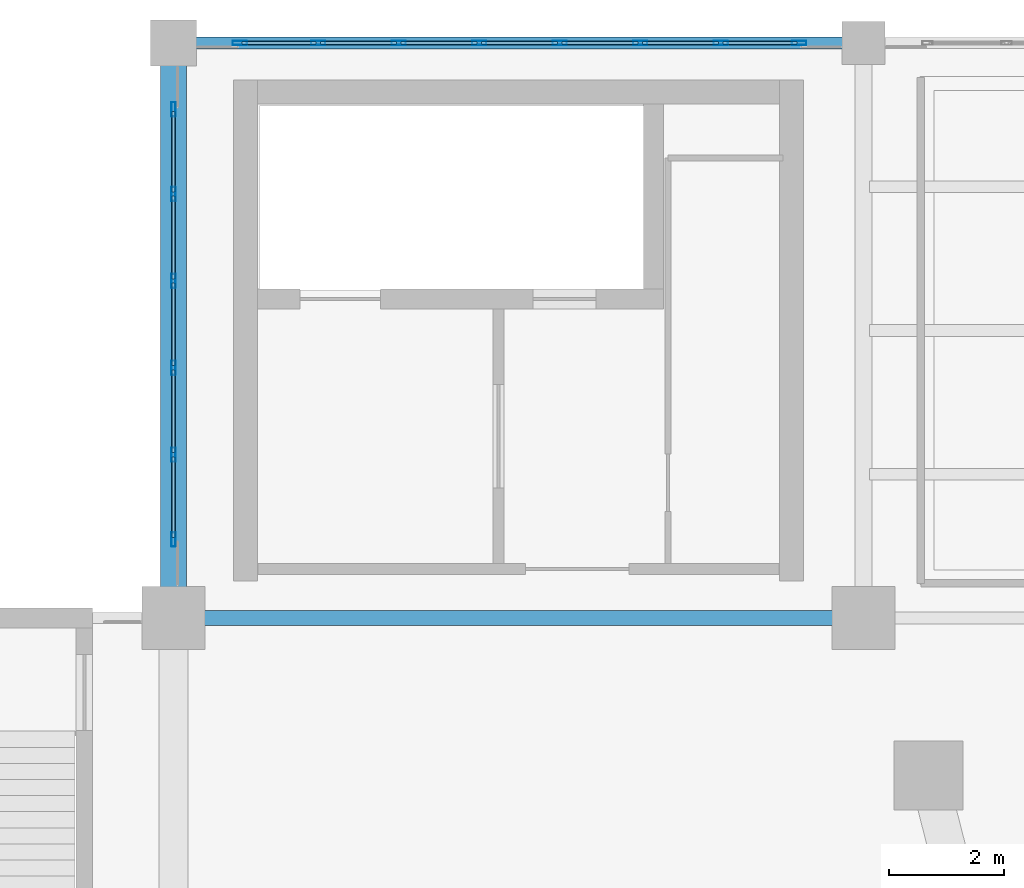
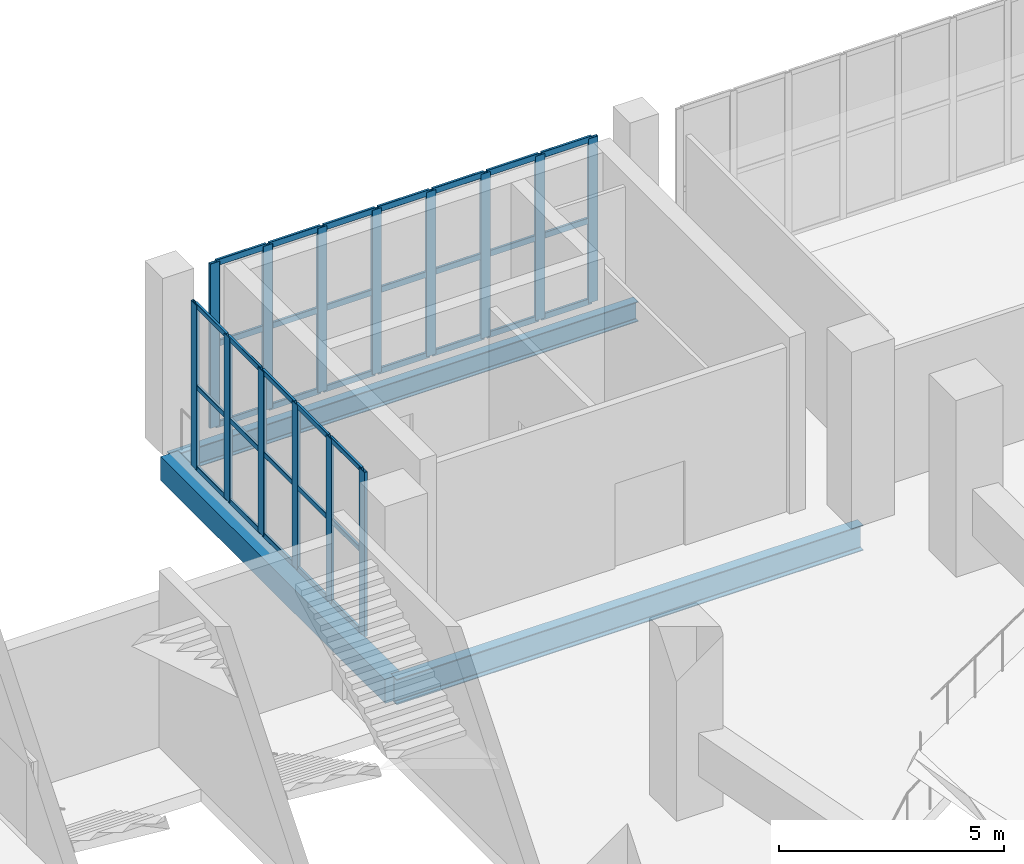
# One storey, part 52 of 136: 50 members, 3 beams, 2 elements without a shape of their own.
"""IFC4 building model written with IfcOpenShell, lengths in metres."""

from ifc_helpers import new_model, si_unit, direction, frame, origin, origin_2d, place, context, subcontext, project, spatial, rectangle, hollow_rectangle, i_section, extrude, material, layer, layer_set, material_profile, profile_set, type_object, element, aggregate, save


model = new_model("IFC4")

# Units and contexts
model_context = context("Model", 3, precision=1e-05, world=origin(), true_north=direction((0.0, 1.0)))
body_context = subcontext(model_context, "Body", "Model", "MODEL_VIEW")
ifc_project = project(units=[si_unit("LENGTHUNIT", "METRE"), si_unit("AREAUNIT", "SQUARE_METRE"), si_unit("VOLUMEUNIT", "CUBIC_METRE"), si_unit("PLANEANGLEUNIT", "RADIAN"), si_unit("MASSUNIT", "GRAM", prefix="KILO")], contexts=[model_context])

# Site, building, storey
site_placement = place(None, origin())
site = spatial("IfcSite", under=ifc_project, at=site_placement, CompositionType="ELEMENT")
building_placement = place(site_placement, origin())
building = spatial("IfcBuilding", under=site, at=building_placement, Name="Brinegate Civic Arena", CompositionType="ELEMENT")
storey_placement = place(building_placement, frame((0.0, 0.0, 5.39990234375)))
storey = spatial("IfcBuildingStorey", under=building, at=storey_placement, Name="L01", CompositionType="ELEMENT", Elevation=5.39990234375)

# Curtain wall, members
ifc_material_1 = material(Name="Marine grade aluminium", Category="aluminium")
ifc_layer = layer(ifc_material_1, 0.235107421875, Name="Marine grade aluminium")
ifc_layer_set = layer_set([ifc_layer], Name="Marine grade aluminium")
curtain_wall_type = type_object("IfcCurtainWallType", Name="CW-PORTAL-NORTH-01", PredefinedType="USERDEFINED", material=ifc_layer_set)
curtain_wall_1_placement = place(storey_placement, origin())
curtain_wall_1 = element("IfcCurtainWall", 1, at=curtain_wall_1_placement, inside=storey, type_object=curtain_wall_type, Name="Curtain Wall CWA-064", ObjectType="PORTAL CURTAIN WALL", PredefinedType="USERDEFINED")
ifc_material_profile_1 = material_profile(ifc_material_1, hollow_rectangle(XDim=0.074951171875, YDim=0.25, WallThickness=0.006103515625, InnerFilletRadius=0.00390625, OuterFilletRadius=0.008056640625, at=origin_2d()), Name="MUL75X250")
ifc_profile_set_1 = profile_set([ifc_material_profile_1], Name="Marine grade aluminium")
member_type_1 = type_object("IfcMemberType", Name="CW-MULLION-75X250", PredefinedType="MULLION", material=ifc_profile_set_1)
member_1_placement = place(storey_placement, frame((85.153564453125, 124.0, 0.0), z_axis=(0.0, 0.0, 1.0), x_axis=(0.0, 1.0, 0.0)))
member_1 = element("IfcMember", 2, at=member_1_placement, type_object=member_type_1, Name="CWA-064 mullion 1", PredefinedType="MULLION", context=body_context, shape_type="SweptSolid", body=[
    extrude(hollow_rectangle(XDim=0.074951171875, YDim=0.25, WallThickness=0.006103515625, InnerFilletRadius=0.00390625, OuterFilletRadius=0.008056640625, at=origin_2d()), origin(), (0.0, 0.0, 1.0), 4.47021484375),
])
member_2_placement = place(storey_placement, frame((86.5166015625, 124.0, 0.0), z_axis=(0.0, 0.0, 1.0), x_axis=(0.0, 1.0, 0.0)))
member_2 = element("IfcMember", 3, at=member_2_placement, type_object=member_type_1, Name="CWA-064 mullion 2", PredefinedType="MULLION", context=body_context, shape_type="SweptSolid", body=[
    extrude(hollow_rectangle(XDim=0.074951171875, YDim=0.25, WallThickness=0.006103515625, InnerFilletRadius=0.00390625, OuterFilletRadius=0.008056640625, at=origin_2d()), origin(), (0.0, 0.0, 1.0), 4.47021484375),
])
member_3_placement = place(storey_placement, frame((87.917236328125, 124.0, 0.0), z_axis=(0.0, 0.0, 1.0), x_axis=(0.0, 1.0, 0.0)))
member_3 = element("IfcMember", 4, at=member_3_placement, type_object=member_type_1, Name="CWA-064 mullion 3", PredefinedType="MULLION", context=body_context, shape_type="SweptSolid", body=[
    extrude(hollow_rectangle(XDim=0.074951171875, YDim=0.25, WallThickness=0.006103515625, InnerFilletRadius=0.00390625, OuterFilletRadius=0.008056640625, at=origin_2d()), origin(), (0.0, 0.0, 1.0), 4.47021484375),
])
member_4_placement = place(storey_placement, frame((89.317626953125, 124.0, 0.0), z_axis=(0.0, 0.0, 1.0), x_axis=(0.0, 1.0, 0.0)))
member_4 = element("IfcMember", 5, at=member_4_placement, type_object=member_type_1, Name="CWA-064 mullion 4", PredefinedType="MULLION", context=body_context, shape_type="SweptSolid", body=[
    extrude(hollow_rectangle(XDim=0.074951171875, YDim=0.25, WallThickness=0.006103515625, InnerFilletRadius=0.00390625, OuterFilletRadius=0.008056640625, at=origin_2d()), origin(), (0.0, 0.0, 1.0), 4.47021484375),
])
member_5_placement = place(storey_placement, frame((90.71826171875, 124.0, 0.0), z_axis=(0.0, 0.0, 1.0), x_axis=(0.0, 1.0, 0.0)))
member_5 = element("IfcMember", 6, at=member_5_placement, type_object=member_type_1, Name="CWA-064 mullion 5", PredefinedType="MULLION", context=body_context, shape_type="SweptSolid", body=[
    extrude(hollow_rectangle(XDim=0.074951171875, YDim=0.25, WallThickness=0.006103515625, InnerFilletRadius=0.00390625, OuterFilletRadius=0.008056640625, at=origin_2d()), origin(), (0.0, 0.0, 1.0), 4.47021484375),
])
member_6_placement = place(storey_placement, frame((92.118896484375, 124.0, 0.0), z_axis=(0.0, 0.0, 1.0), x_axis=(0.0, 1.0, 0.0)))
member_6 = element("IfcMember", 7, at=member_6_placement, type_object=member_type_1, Name="CWA-064 mullion 6", PredefinedType="MULLION", context=body_context, shape_type="SweptSolid", body=[
    extrude(hollow_rectangle(XDim=0.074951171875, YDim=0.25, WallThickness=0.006103515625, InnerFilletRadius=0.00390625, OuterFilletRadius=0.008056640625, at=origin_2d()), origin(), (0.0, 0.0, 1.0), 4.47021484375),
])
member_7_placement = place(storey_placement, frame((93.51953125, 124.0, 0.0), z_axis=(0.0, 0.0, 1.0), x_axis=(0.0, 1.0, 0.0)))
member_7 = element("IfcMember", 8, at=member_7_placement, type_object=member_type_1, Name="CWA-064 mullion 7", PredefinedType="MULLION", context=body_context, shape_type="SweptSolid", body=[
    extrude(hollow_rectangle(XDim=0.074951171875, YDim=0.25, WallThickness=0.006103515625, InnerFilletRadius=0.00390625, OuterFilletRadius=0.008056640625, at=origin_2d()), origin(), (0.0, 0.0, 1.0), 4.47021484375),
])
member_8_placement = place(storey_placement, frame((94.882568359375, 124.0, 0.0), z_axis=(0.0, 0.0, 1.0), x_axis=(0.0, 1.0, 0.0)))
member_8 = element("IfcMember", 9, at=member_8_placement, type_object=member_type_1, Name="CWA-064 mullion 8", PredefinedType="MULLION", context=body_context, shape_type="SweptSolid", body=[
    extrude(hollow_rectangle(XDim=0.074951171875, YDim=0.25, WallThickness=0.006103515625, InnerFilletRadius=0.00390625, OuterFilletRadius=0.008056640625, at=origin_2d()), origin(), (0.0, 0.0, 1.0), 4.47021484375),
])

curtain_wall_2_placement = place(storey_placement, origin())
curtain_wall_2 = element("IfcCurtainWall", 10, at=curtain_wall_2_placement, inside=storey, type_object=curtain_wall_type, Name="Curtain Wall CWA-068", ObjectType="PORTAL CURTAIN WALL", PredefinedType="USERDEFINED")
member_9_placement = place(storey_placement, frame((84.0, 115.365478515625, 0.0), z_axis=(0.0, 0.0, 1.0), x_axis=(-1.0, 0.0, 0.0)))
member_9 = element("IfcMember", 11, at=member_9_placement, type_object=member_type_1, Name="CWA-068 mullion 1", PredefinedType="MULLION", context=body_context, shape_type="SweptSolid", body=[
    extrude(hollow_rectangle(XDim=0.074951171875, YDim=0.25, WallThickness=0.006103515625, InnerFilletRadius=0.00390625, OuterFilletRadius=0.008056640625, at=origin_2d()), origin(), (0.0, 0.0, 1.0), 4.47021484375),
])
member_10_placement = place(storey_placement, frame((84.0, 116.839111328125, 0.0), z_axis=(0.0, 0.0, 1.0), x_axis=(-1.0, 0.0, 0.0)))
member_10 = element("IfcMember", 12, at=member_10_placement, type_object=member_type_1, Name="CWA-068 mullion 2", PredefinedType="MULLION", context=body_context, shape_type="SweptSolid", body=[
    extrude(hollow_rectangle(XDim=0.074951171875, YDim=0.25, WallThickness=0.006103515625, InnerFilletRadius=0.00390625, OuterFilletRadius=0.008056640625, at=origin_2d()), origin(), (0.0, 0.0, 1.0), 4.47021484375),
])
member_11_placement = place(storey_placement, frame((84.0, 118.350341796875, 0.0), z_axis=(0.0, 0.0, 1.0), x_axis=(-1.0, 0.0, 0.0)))
member_11 = element("IfcMember", 13, at=member_11_placement, type_object=member_type_1, Name="CWA-068 mullion 3", PredefinedType="MULLION", context=body_context, shape_type="SweptSolid", body=[
    extrude(hollow_rectangle(XDim=0.074951171875, YDim=0.25, WallThickness=0.006103515625, InnerFilletRadius=0.00390625, OuterFilletRadius=0.008056640625, at=origin_2d()), origin(), (0.0, 0.0, 1.0), 4.47021484375),
])
member_12_placement = place(storey_placement, frame((84.0, 119.861572265625, 0.0), z_axis=(0.0, 0.0, 1.0), x_axis=(-1.0, 0.0, 0.0)))
member_12 = element("IfcMember", 14, at=member_12_placement, type_object=member_type_1, Name="CWA-068 mullion 4", PredefinedType="MULLION", context=body_context, shape_type="SweptSolid", body=[
    extrude(hollow_rectangle(XDim=0.074951171875, YDim=0.25, WallThickness=0.006103515625, InnerFilletRadius=0.00390625, OuterFilletRadius=0.008056640625, at=origin_2d()), origin(), (0.0, 0.0, 1.0), 4.47021484375),
])
member_13_placement = place(storey_placement, frame((84.0, 121.372802734375, 0.0), z_axis=(0.0, 0.0, 1.0), x_axis=(-1.0, 0.0, 0.0)))
member_13 = element("IfcMember", 15, at=member_13_placement, type_object=member_type_1, Name="CWA-068 mullion 5", PredefinedType="MULLION", context=body_context, shape_type="SweptSolid", body=[
    extrude(hollow_rectangle(XDim=0.074951171875, YDim=0.25, WallThickness=0.006103515625, InnerFilletRadius=0.00390625, OuterFilletRadius=0.008056640625, at=origin_2d()), origin(), (0.0, 0.0, 1.0), 4.47021484375),
])
member_14_placement = place(storey_placement, frame((84.0, 122.846435546875, 0.0), z_axis=(0.0, 0.0, 1.0), x_axis=(-1.0, 0.0, 0.0)))
member_14 = element("IfcMember", 16, at=member_14_placement, type_object=member_type_1, Name="CWA-068 mullion 6", PredefinedType="MULLION", context=body_context, shape_type="SweptSolid", body=[
    extrude(hollow_rectangle(XDim=0.074951171875, YDim=0.25, WallThickness=0.006103515625, InnerFilletRadius=0.00390625, OuterFilletRadius=0.008056640625, at=origin_2d()), origin(), (0.0, 0.0, 1.0), 4.47021484375),
])
ifc_material_profile_2 = material_profile(ifc_material_1, hollow_rectangle(XDim=0.06494140625, YDim=0.139892578125, WallThickness=0.0048828125, InnerFilletRadius=0.00390625, OuterFilletRadius=0.008056640625, at=origin_2d()), Name="TRN65X140")
ifc_profile_set_2 = profile_set([ifc_material_profile_2], Name="Marine grade aluminium")
member_type_2 = type_object("IfcMemberType", Name="CW-TRANSOM-65X140", PredefinedType="USERDEFINED", material=ifc_profile_set_2)
member_15_placement = place(storey_placement, frame((84.0, 115.403076171875, 0.03271484375), z_axis=(0.0, 1.0, 0.0), x_axis=(-1.0, 0.0, 0.0)))
member_15 = element("IfcMember", 17, at=member_15_placement, type_object=member_type_2, Name="CWA-068 transom 1.1", ObjectType="TRANSOM", PredefinedType="USERDEFINED", context=body_context, shape_type="SweptSolid", body=[
    extrude(hollow_rectangle(XDim=0.06494140625, YDim=0.139892578125, WallThickness=0.0048828125, InnerFilletRadius=0.00390625, OuterFilletRadius=0.008056640625, at=origin_2d()), origin(), (0.0, 0.0, 1.0), 1.398681640625),
])
member_16_placement = place(storey_placement, frame((84.0, 115.403076171875, 2.235107421875), z_axis=(0.0, 1.0, 0.0), x_axis=(-1.0, 0.0, 0.0)))
member_16 = element("IfcMember", 18, at=member_16_placement, type_object=member_type_2, Name="CWA-068 transom 1.2", ObjectType="TRANSOM", PredefinedType="USERDEFINED", context=body_context, shape_type="SweptSolid", body=[
    extrude(hollow_rectangle(XDim=0.06494140625, YDim=0.139892578125, WallThickness=0.0048828125, InnerFilletRadius=0.00390625, OuterFilletRadius=0.008056640625, at=origin_2d()), origin(), (0.0, 0.0, 1.0), 1.398681640625),
])
member_17_placement = place(storey_placement, frame((84.0, 115.403076171875, 4.4375), z_axis=(0.0, 1.0, 0.0), x_axis=(-1.0, 0.0, 0.0)))
member_17 = element("IfcMember", 19, at=member_17_placement, type_object=member_type_2, Name="CWA-068 transom 1.3", ObjectType="TRANSOM", PredefinedType="USERDEFINED", context=body_context, shape_type="SweptSolid", body=[
    extrude(hollow_rectangle(XDim=0.06494140625, YDim=0.139892578125, WallThickness=0.0048828125, InnerFilletRadius=0.00390625, OuterFilletRadius=0.008056640625, at=origin_2d()), origin(), (0.0, 0.0, 1.0), 1.398681640625),
])
member_18_placement = place(storey_placement, frame((84.0, 116.876708984375, 0.03271484375), z_axis=(0.0, 1.0, 0.0), x_axis=(-1.0, 0.0, 0.0)))
member_18 = element("IfcMember", 20, at=member_18_placement, type_object=member_type_2, Name="CWA-068 transom 2.1", ObjectType="TRANSOM", PredefinedType="USERDEFINED", context=body_context, shape_type="SweptSolid", body=[
    extrude(hollow_rectangle(XDim=0.06494140625, YDim=0.139892578125, WallThickness=0.0048828125, InnerFilletRadius=0.00390625, OuterFilletRadius=0.008056640625, at=origin_2d()), origin(), (0.0, 0.0, 1.0), 1.436279296875),
])
member_19_placement = place(storey_placement, frame((84.0, 116.876708984375, 2.235107421875), z_axis=(0.0, 1.0, 0.0), x_axis=(-1.0, 0.0, 0.0)))
member_19 = element("IfcMember", 21, at=member_19_placement, type_object=member_type_2, Name="CWA-068 transom 2.2", ObjectType="TRANSOM", PredefinedType="USERDEFINED", context=body_context, shape_type="SweptSolid", body=[
    extrude(hollow_rectangle(XDim=0.06494140625, YDim=0.139892578125, WallThickness=0.0048828125, InnerFilletRadius=0.00390625, OuterFilletRadius=0.008056640625, at=origin_2d()), origin(), (0.0, 0.0, 1.0), 1.436279296875),
])
member_20_placement = place(storey_placement, frame((84.0, 116.876708984375, 4.4375), z_axis=(0.0, 1.0, 0.0), x_axis=(-1.0, 0.0, 0.0)))
member_20 = element("IfcMember", 22, at=member_20_placement, type_object=member_type_2, Name="CWA-068 transom 2.3", ObjectType="TRANSOM", PredefinedType="USERDEFINED", context=body_context, shape_type="SweptSolid", body=[
    extrude(hollow_rectangle(XDim=0.06494140625, YDim=0.139892578125, WallThickness=0.0048828125, InnerFilletRadius=0.00390625, OuterFilletRadius=0.008056640625, at=origin_2d()), origin(), (0.0, 0.0, 1.0), 1.436279296875),
])
member_21_placement = place(storey_placement, frame((84.0, 118.387939453125, 0.03271484375), z_axis=(0.0, 1.0, 0.0), x_axis=(-1.0, 0.0, 0.0)))
member_21 = element("IfcMember", 23, at=member_21_placement, type_object=member_type_2, Name="CWA-068 transom 3.1", ObjectType="TRANSOM", PredefinedType="USERDEFINED", context=body_context, shape_type="SweptSolid", body=[
    extrude(hollow_rectangle(XDim=0.06494140625, YDim=0.139892578125, WallThickness=0.0048828125, InnerFilletRadius=0.00390625, OuterFilletRadius=0.008056640625, at=origin_2d()), origin(), (0.0, 0.0, 1.0), 1.436279296875),
])
member_22_placement = place(storey_placement, frame((84.0, 118.387939453125, 2.235107421875), z_axis=(0.0, 1.0, 0.0), x_axis=(-1.0, 0.0, 0.0)))
member_22 = element("IfcMember", 24, at=member_22_placement, type_object=member_type_2, Name="CWA-068 transom 3.2", ObjectType="TRANSOM", PredefinedType="USERDEFINED", context=body_context, shape_type="SweptSolid", body=[
    extrude(hollow_rectangle(XDim=0.06494140625, YDim=0.139892578125, WallThickness=0.0048828125, InnerFilletRadius=0.00390625, OuterFilletRadius=0.008056640625, at=origin_2d()), origin(), (0.0, 0.0, 1.0), 1.436279296875),
])
member_23_placement = place(storey_placement, frame((84.0, 118.387939453125, 4.4375), z_axis=(0.0, 1.0, 0.0), x_axis=(-1.0, 0.0, 0.0)))
member_23 = element("IfcMember", 25, at=member_23_placement, type_object=member_type_2, Name="CWA-068 transom 3.3", ObjectType="TRANSOM", PredefinedType="USERDEFINED", context=body_context, shape_type="SweptSolid", body=[
    extrude(hollow_rectangle(XDim=0.06494140625, YDim=0.139892578125, WallThickness=0.0048828125, InnerFilletRadius=0.00390625, OuterFilletRadius=0.008056640625, at=origin_2d()), origin(), (0.0, 0.0, 1.0), 1.436279296875),
])
member_24_placement = place(storey_placement, frame((84.0, 119.899169921875, 0.03271484375), z_axis=(0.0, 1.0, 0.0), x_axis=(-1.0, 0.0, 0.0)))
member_24 = element("IfcMember", 26, at=member_24_placement, type_object=member_type_2, Name="CWA-068 transom 4.1", ObjectType="TRANSOM", PredefinedType="USERDEFINED", context=body_context, shape_type="SweptSolid", body=[
    extrude(hollow_rectangle(XDim=0.06494140625, YDim=0.139892578125, WallThickness=0.0048828125, InnerFilletRadius=0.00390625, OuterFilletRadius=0.008056640625, at=origin_2d()), origin(), (0.0, 0.0, 1.0), 1.43603515625),
])
member_25_placement = place(storey_placement, frame((84.0, 119.899169921875, 2.235107421875), z_axis=(0.0, 1.0, 0.0), x_axis=(-1.0, 0.0, 0.0)))
member_25 = element("IfcMember", 27, at=member_25_placement, type_object=member_type_2, Name="CWA-068 transom 4.2", ObjectType="TRANSOM", PredefinedType="USERDEFINED", context=body_context, shape_type="SweptSolid", body=[
    extrude(hollow_rectangle(XDim=0.06494140625, YDim=0.139892578125, WallThickness=0.0048828125, InnerFilletRadius=0.00390625, OuterFilletRadius=0.008056640625, at=origin_2d()), origin(), (0.0, 0.0, 1.0), 1.43603515625),
])
member_26_placement = place(storey_placement, frame((84.0, 119.899169921875, 4.4375), z_axis=(0.0, 1.0, 0.0), x_axis=(-1.0, 0.0, 0.0)))
member_26 = element("IfcMember", 28, at=member_26_placement, type_object=member_type_2, Name="CWA-068 transom 4.3", ObjectType="TRANSOM", PredefinedType="USERDEFINED", context=body_context, shape_type="SweptSolid", body=[
    extrude(hollow_rectangle(XDim=0.06494140625, YDim=0.139892578125, WallThickness=0.0048828125, InnerFilletRadius=0.00390625, OuterFilletRadius=0.008056640625, at=origin_2d()), origin(), (0.0, 0.0, 1.0), 1.43603515625),
])
member_27_placement = place(storey_placement, frame((84.0, 121.410400390625, 0.03271484375), z_axis=(0.0, 1.0, 0.0), x_axis=(-1.0, 0.0, 0.0)))
member_27 = element("IfcMember", 29, at=member_27_placement, type_object=member_type_2, Name="CWA-068 transom 5.1", ObjectType="TRANSOM", PredefinedType="USERDEFINED", context=body_context, shape_type="SweptSolid", body=[
    extrude(hollow_rectangle(XDim=0.06494140625, YDim=0.139892578125, WallThickness=0.0048828125, InnerFilletRadius=0.00390625, OuterFilletRadius=0.008056640625, at=origin_2d()), origin(), (0.0, 0.0, 1.0), 1.398681640625),
])
member_28_placement = place(storey_placement, frame((84.0, 121.410400390625, 2.235107421875), z_axis=(0.0, 1.0, 0.0), x_axis=(-1.0, 0.0, 0.0)))
member_28 = element("IfcMember", 30, at=member_28_placement, type_object=member_type_2, Name="CWA-068 transom 5.2", ObjectType="TRANSOM", PredefinedType="USERDEFINED", context=body_context, shape_type="SweptSolid", body=[
    extrude(hollow_rectangle(XDim=0.06494140625, YDim=0.139892578125, WallThickness=0.0048828125, InnerFilletRadius=0.00390625, OuterFilletRadius=0.008056640625, at=origin_2d()), origin(), (0.0, 0.0, 1.0), 1.398681640625),
])
member_29_placement = place(storey_placement, frame((84.0, 121.410400390625, 4.4375), z_axis=(0.0, 1.0, 0.0), x_axis=(-1.0, 0.0, 0.0)))
member_29 = element("IfcMember", 31, at=member_29_placement, type_object=member_type_2, Name="CWA-068 transom 5.3", ObjectType="TRANSOM", PredefinedType="USERDEFINED", context=body_context, shape_type="SweptSolid", body=[
    extrude(hollow_rectangle(XDim=0.06494140625, YDim=0.139892578125, WallThickness=0.0048828125, InnerFilletRadius=0.00390625, OuterFilletRadius=0.008056640625, at=origin_2d()), origin(), (0.0, 0.0, 1.0), 1.398681640625),
])
aggregate(curtain_wall_2, [member_9, member_10, member_11, member_12, member_13, member_14, member_15, member_16, member_17, member_18, member_19, member_20, member_21, member_22, member_23, member_24, member_25, member_26, member_27, member_28, member_29])

# Member
ifc_material_profile_3 = material_profile(ifc_material_1, hollow_rectangle(XDim=0.06494140625, YDim=0.1650390625, WallThickness=0.0048828125, InnerFilletRadius=0.00390625, OuterFilletRadius=0.008056640625, at=origin_2d()), Name="TRN65X165")
ifc_profile_set_3 = profile_set([ifc_material_profile_3], Name="Marine grade aluminium")
member_type_3 = type_object("IfcMemberType", Name="CW-TRANSOM-65X165", PredefinedType="USERDEFINED", material=ifc_profile_set_3)
member_30_placement = place(storey_placement, frame((85.19091796875, 124.0, 0.03271484375), z_axis=(1.0, 0.0, 0.0), x_axis=(0.0, 1.0, 0.0)))
member_30 = element("IfcMember", 32, at=member_30_placement, type_object=member_type_3, Name="CWA-064 transom 1.1", ObjectType="TRANSOM", PredefinedType="USERDEFINED", context=body_context, shape_type="SweptSolid", body=[
    extrude(hollow_rectangle(XDim=0.06494140625, YDim=0.1650390625, WallThickness=0.0048828125, InnerFilletRadius=0.00390625, OuterFilletRadius=0.008056640625, at=origin_2d()), origin(), (0.0, 0.0, 1.0), 1.2880859375),
])

member_31_placement = place(storey_placement, frame((85.19091796875, 124.0, 2.235107421875), z_axis=(1.0, 0.0, 0.0), x_axis=(0.0, 1.0, 0.0)))
member_31 = element("IfcMember", 33, at=member_31_placement, type_object=member_type_3, Name="CWA-064 transom 1.2", ObjectType="TRANSOM", PredefinedType="USERDEFINED", context=body_context, shape_type="SweptSolid", body=[
    extrude(hollow_rectangle(XDim=0.06494140625, YDim=0.1650390625, WallThickness=0.0048828125, InnerFilletRadius=0.00390625, OuterFilletRadius=0.008056640625, at=origin_2d()), origin(), (0.0, 0.0, 1.0), 1.2880859375),
])

member_32_placement = place(storey_placement, frame((85.19091796875, 124.0, 4.4375), z_axis=(1.0, 0.0, 0.0), x_axis=(0.0, 1.0, 0.0)))
member_32 = element("IfcMember", 34, at=member_32_placement, type_object=member_type_3, Name="CWA-064 transom 1.3", ObjectType="TRANSOM", PredefinedType="USERDEFINED", context=body_context, shape_type="SweptSolid", body=[
    extrude(hollow_rectangle(XDim=0.06494140625, YDim=0.1650390625, WallThickness=0.0048828125, InnerFilletRadius=0.00390625, OuterFilletRadius=0.008056640625, at=origin_2d()), origin(), (0.0, 0.0, 1.0), 1.2880859375),
])

member_33_placement = place(storey_placement, frame((86.553955078125, 124.0, 0.03271484375), z_axis=(1.0, 0.0, 0.0), x_axis=(0.0, 1.0, 0.0)))
member_33 = element("IfcMember", 35, at=member_33_placement, type_object=member_type_3, Name="CWA-064 transom 2.1", ObjectType="TRANSOM", PredefinedType="USERDEFINED", context=body_context, shape_type="SweptSolid", body=[
    extrude(hollow_rectangle(XDim=0.06494140625, YDim=0.1650390625, WallThickness=0.0048828125, InnerFilletRadius=0.00390625, OuterFilletRadius=0.008056640625, at=origin_2d()), origin(), (0.0, 0.0, 1.0), 1.32568359375),
])

member_34_placement = place(storey_placement, frame((86.553955078125, 124.0, 2.235107421875), z_axis=(1.0, 0.0, 0.0), x_axis=(0.0, 1.0, 0.0)))
member_34 = element("IfcMember", 36, at=member_34_placement, type_object=member_type_3, Name="CWA-064 transom 2.2", ObjectType="TRANSOM", PredefinedType="USERDEFINED", context=body_context, shape_type="SweptSolid", body=[
    extrude(hollow_rectangle(XDim=0.06494140625, YDim=0.1650390625, WallThickness=0.0048828125, InnerFilletRadius=0.00390625, OuterFilletRadius=0.008056640625, at=origin_2d()), origin(), (0.0, 0.0, 1.0), 1.32568359375),
])

member_35_placement = place(storey_placement, frame((86.553955078125, 124.0, 4.4375), z_axis=(1.0, 0.0, 0.0), x_axis=(0.0, 1.0, 0.0)))
member_35 = element("IfcMember", 37, at=member_35_placement, type_object=member_type_3, Name="CWA-064 transom 2.3", ObjectType="TRANSOM", PredefinedType="USERDEFINED", context=body_context, shape_type="SweptSolid", body=[
    extrude(hollow_rectangle(XDim=0.06494140625, YDim=0.1650390625, WallThickness=0.0048828125, InnerFilletRadius=0.00390625, OuterFilletRadius=0.008056640625, at=origin_2d()), origin(), (0.0, 0.0, 1.0), 1.32568359375),
])

member_36_placement = place(storey_placement, frame((87.95458984375, 124.0, 0.03271484375), z_axis=(1.0, 0.0, 0.0), x_axis=(0.0, 1.0, 0.0)))
member_36 = element("IfcMember", 38, at=member_36_placement, type_object=member_type_3, Name="CWA-064 transom 3.1", ObjectType="TRANSOM", PredefinedType="USERDEFINED", context=body_context, shape_type="SweptSolid", body=[
    extrude(hollow_rectangle(XDim=0.06494140625, YDim=0.1650390625, WallThickness=0.0048828125, InnerFilletRadius=0.00390625, OuterFilletRadius=0.008056640625, at=origin_2d()), origin(), (0.0, 0.0, 1.0), 1.32568359375),
])

member_37_placement = place(storey_placement, frame((87.95458984375, 124.0, 2.235107421875), z_axis=(1.0, 0.0, 0.0), x_axis=(0.0, 1.0, 0.0)))
member_37 = element("IfcMember", 39, at=member_37_placement, type_object=member_type_3, Name="CWA-064 transom 3.2", ObjectType="TRANSOM", PredefinedType="USERDEFINED", context=body_context, shape_type="SweptSolid", body=[
    extrude(hollow_rectangle(XDim=0.06494140625, YDim=0.1650390625, WallThickness=0.0048828125, InnerFilletRadius=0.00390625, OuterFilletRadius=0.008056640625, at=origin_2d()), origin(), (0.0, 0.0, 1.0), 1.32568359375),
])

member_38_placement = place(storey_placement, frame((87.95458984375, 124.0, 4.4375), z_axis=(1.0, 0.0, 0.0), x_axis=(0.0, 1.0, 0.0)))
member_38 = element("IfcMember", 40, at=member_38_placement, type_object=member_type_3, Name="CWA-064 transom 3.3", ObjectType="TRANSOM", PredefinedType="USERDEFINED", context=body_context, shape_type="SweptSolid", body=[
    extrude(hollow_rectangle(XDim=0.06494140625, YDim=0.1650390625, WallThickness=0.0048828125, InnerFilletRadius=0.00390625, OuterFilletRadius=0.008056640625, at=origin_2d()), origin(), (0.0, 0.0, 1.0), 1.32568359375),
])

member_39_placement = place(storey_placement, frame((89.355224609375, 124.0, 0.03271484375), z_axis=(1.0, 0.0, 0.0), x_axis=(0.0, 1.0, 0.0)))
member_39 = element("IfcMember", 41, at=member_39_placement, type_object=member_type_3, Name="CWA-064 transom 4.1", ObjectType="TRANSOM", PredefinedType="USERDEFINED", context=body_context, shape_type="SweptSolid", body=[
    extrude(hollow_rectangle(XDim=0.06494140625, YDim=0.1650390625, WallThickness=0.0048828125, InnerFilletRadius=0.00390625, OuterFilletRadius=0.008056640625, at=origin_2d()), origin(), (0.0, 0.0, 1.0), 1.325439453125),
])

member_40_placement = place(storey_placement, frame((89.355224609375, 124.0, 2.235107421875), z_axis=(1.0, 0.0, 0.0), x_axis=(0.0, 1.0, 0.0)))
member_40 = element("IfcMember", 42, at=member_40_placement, type_object=member_type_3, Name="CWA-064 transom 4.2", ObjectType="TRANSOM", PredefinedType="USERDEFINED", context=body_context, shape_type="SweptSolid", body=[
    extrude(hollow_rectangle(XDim=0.06494140625, YDim=0.1650390625, WallThickness=0.0048828125, InnerFilletRadius=0.00390625, OuterFilletRadius=0.008056640625, at=origin_2d()), origin(), (0.0, 0.0, 1.0), 1.325439453125),
])

member_41_placement = place(storey_placement, frame((89.355224609375, 124.0, 4.4375), z_axis=(1.0, 0.0, 0.0), x_axis=(0.0, 1.0, 0.0)))
member_41 = element("IfcMember", 43, at=member_41_placement, type_object=member_type_3, Name="CWA-064 transom 4.3", ObjectType="TRANSOM", PredefinedType="USERDEFINED", context=body_context, shape_type="SweptSolid", body=[
    extrude(hollow_rectangle(XDim=0.06494140625, YDim=0.1650390625, WallThickness=0.0048828125, InnerFilletRadius=0.00390625, OuterFilletRadius=0.008056640625, at=origin_2d()), origin(), (0.0, 0.0, 1.0), 1.325439453125),
])

member_42_placement = place(storey_placement, frame((90.755859375, 124.0, 0.03271484375), z_axis=(1.0, 0.0, 0.0), x_axis=(0.0, 1.0, 0.0)))
member_42 = element("IfcMember", 44, at=member_42_placement, type_object=member_type_3, Name="CWA-064 transom 5.1", ObjectType="TRANSOM", PredefinedType="USERDEFINED", context=body_context, shape_type="SweptSolid", body=[
    extrude(hollow_rectangle(XDim=0.06494140625, YDim=0.1650390625, WallThickness=0.0048828125, InnerFilletRadius=0.00390625, OuterFilletRadius=0.008056640625, at=origin_2d()), origin(), (0.0, 0.0, 1.0), 1.325439453125),
])

member_43_placement = place(storey_placement, frame((90.755859375, 124.0, 2.235107421875), z_axis=(1.0, 0.0, 0.0), x_axis=(0.0, 1.0, 0.0)))
member_43 = element("IfcMember", 45, at=member_43_placement, type_object=member_type_3, Name="CWA-064 transom 5.2", ObjectType="TRANSOM", PredefinedType="USERDEFINED", context=body_context, shape_type="SweptSolid", body=[
    extrude(hollow_rectangle(XDim=0.06494140625, YDim=0.1650390625, WallThickness=0.0048828125, InnerFilletRadius=0.00390625, OuterFilletRadius=0.008056640625, at=origin_2d()), origin(), (0.0, 0.0, 1.0), 1.325439453125),
])

member_44_placement = place(storey_placement, frame((90.755859375, 124.0, 4.4375), z_axis=(1.0, 0.0, 0.0), x_axis=(0.0, 1.0, 0.0)))
member_44 = element("IfcMember", 46, at=member_44_placement, type_object=member_type_3, Name="CWA-064 transom 5.3", ObjectType="TRANSOM", PredefinedType="USERDEFINED", context=body_context, shape_type="SweptSolid", body=[
    extrude(hollow_rectangle(XDim=0.06494140625, YDim=0.1650390625, WallThickness=0.0048828125, InnerFilletRadius=0.00390625, OuterFilletRadius=0.008056640625, at=origin_2d()), origin(), (0.0, 0.0, 1.0), 1.325439453125),
])

member_45_placement = place(storey_placement, frame((92.15625, 124.0, 0.03271484375), z_axis=(1.0, 0.0, 0.0), x_axis=(0.0, 1.0, 0.0)))
member_45 = element("IfcMember", 47, at=member_45_placement, type_object=member_type_3, Name="CWA-064 transom 6.1", ObjectType="TRANSOM", PredefinedType="USERDEFINED", context=body_context, shape_type="SweptSolid", body=[
    extrude(hollow_rectangle(XDim=0.06494140625, YDim=0.1650390625, WallThickness=0.0048828125, InnerFilletRadius=0.00390625, OuterFilletRadius=0.008056640625, at=origin_2d()), origin(), (0.0, 0.0, 1.0), 1.32568359375),
])

member_46_placement = place(storey_placement, frame((92.15625, 124.0, 2.235107421875), z_axis=(1.0, 0.0, 0.0), x_axis=(0.0, 1.0, 0.0)))
member_46 = element("IfcMember", 48, at=member_46_placement, type_object=member_type_3, Name="CWA-064 transom 6.2", ObjectType="TRANSOM", PredefinedType="USERDEFINED", context=body_context, shape_type="SweptSolid", body=[
    extrude(hollow_rectangle(XDim=0.06494140625, YDim=0.1650390625, WallThickness=0.0048828125, InnerFilletRadius=0.00390625, OuterFilletRadius=0.008056640625, at=origin_2d()), origin(), (0.0, 0.0, 1.0), 1.32568359375),
])

member_47_placement = place(storey_placement, frame((92.15625, 124.0, 4.4375), z_axis=(1.0, 0.0, 0.0), x_axis=(0.0, 1.0, 0.0)))
member_47 = element("IfcMember", 49, at=member_47_placement, type_object=member_type_3, Name="CWA-064 transom 6.3", ObjectType="TRANSOM", PredefinedType="USERDEFINED", context=body_context, shape_type="SweptSolid", body=[
    extrude(hollow_rectangle(XDim=0.06494140625, YDim=0.1650390625, WallThickness=0.0048828125, InnerFilletRadius=0.00390625, OuterFilletRadius=0.008056640625, at=origin_2d()), origin(), (0.0, 0.0, 1.0), 1.32568359375),
])

member_48_placement = place(storey_placement, frame((93.556884765625, 124.0, 0.03271484375), z_axis=(1.0, 0.0, 0.0), x_axis=(0.0, 1.0, 0.0)))
member_48 = element("IfcMember", 50, at=member_48_placement, type_object=member_type_3, Name="CWA-064 transom 7.1", ObjectType="TRANSOM", PredefinedType="USERDEFINED", context=body_context, shape_type="SweptSolid", body=[
    extrude(hollow_rectangle(XDim=0.06494140625, YDim=0.1650390625, WallThickness=0.0048828125, InnerFilletRadius=0.00390625, OuterFilletRadius=0.008056640625, at=origin_2d()), origin(), (0.0, 0.0, 1.0), 1.2880859375),
])

member_49_placement = place(storey_placement, frame((93.556884765625, 124.0, 2.235107421875), z_axis=(1.0, 0.0, 0.0), x_axis=(0.0, 1.0, 0.0)))
member_49 = element("IfcMember", 51, at=member_49_placement, type_object=member_type_3, Name="CWA-064 transom 7.2", ObjectType="TRANSOM", PredefinedType="USERDEFINED", context=body_context, shape_type="SweptSolid", body=[
    extrude(hollow_rectangle(XDim=0.06494140625, YDim=0.1650390625, WallThickness=0.0048828125, InnerFilletRadius=0.00390625, OuterFilletRadius=0.008056640625, at=origin_2d()), origin(), (0.0, 0.0, 1.0), 1.2880859375),
])

member_50_placement = place(storey_placement, frame((93.556884765625, 124.0, 4.4375), z_axis=(1.0, 0.0, 0.0), x_axis=(0.0, 1.0, 0.0)))
member_50 = element("IfcMember", 52, at=member_50_placement, type_object=member_type_3, Name="CWA-064 transom 7.3", ObjectType="TRANSOM", PredefinedType="USERDEFINED", context=body_context, shape_type="SweptSolid", body=[
    extrude(hollow_rectangle(XDim=0.06494140625, YDim=0.1650390625, WallThickness=0.0048828125, InnerFilletRadius=0.00390625, OuterFilletRadius=0.008056640625, at=origin_2d()), origin(), (0.0, 0.0, 1.0), 1.2880859375),
])

aggregate(curtain_wall_1, [member_1, member_2, member_3, member_4, member_5, member_6, member_7, member_8, member_30, member_31, member_32, member_33, member_34, member_35, member_36, member_37, member_38, member_39, member_40, member_41, member_42, member_43, member_44, member_45, member_46, member_47, member_48, member_49, member_50])

# Beams
ifc_material_2 = material(Name="Concrete C50/60", Category="concrete")
ifc_material_profile_4 = material_profile(ifc_material_2, rectangle(XDim=0.449951171875, YDim=0.64990234375, at=origin_2d()), Name="RCB450X650")
ifc_profile_set_4 = profile_set([ifc_material_profile_4], Name="Concrete C50/60")
beam_type_1 = type_object("IfcBeamType", Name="RCG-450X650", PredefinedType="BEAM", material=ifc_profile_set_4)
beam_1_placement = place(storey_placement, frame((84.0, 114.0, -0.664794921875), z_axis=(0.0, 1.0, 0.0), x_axis=(-1.0, 0.0, 0.0)))
element("IfcBeam", 53, at=beam_1_placement, inside=storey, type_object=beam_type_1, Name="Floor Girder BM-L01-GY-07-11", PredefinedType="BEAM", context=body_context, shape_type="SweptSolid", body=[
    extrude(rectangle(XDim=0.449951171875, YDim=0.64990234375, at=origin_2d()), origin(), (0.0, 0.0, 1.0), 10.0),
])
ifc_material_3 = material(Name="Steel S355", Category="steel")
ifc_material_profile_5 = material_profile(ifc_material_3, i_section(OverallWidth=0.2119140625, OverallDepth=0.5439453125, WebThickness=0.012939453125, FlangeThickness=0.02099609375, FilletRadius=0.01611328125, at=origin_2d()), Name="W530X123")
ifc_profile_set_5 = profile_set([ifc_material_profile_5], Name="Steel S355")
beam_type_2 = type_object("IfcBeamType", Name="SPANDREL-W530X123", PredefinedType="SPANDREL", material=ifc_profile_set_5)
beam_2_placement = place(storey_placement, frame((84.0, 124.0, -0.61181640625), z_axis=(1.0, 0.0, 0.0), x_axis=(0.0, 1.0, 0.0)))
element("IfcBeam", 54, at=beam_2_placement, inside=storey, type_object=beam_type_2, Name="Floor Girder BM-L01-GX-07-12", PredefinedType="SPANDREL", context=body_context, shape_type="SweptSolid", body=[
    extrude(i_section(OverallWidth=0.2119140625, OverallDepth=0.5439453125, WebThickness=0.012939453125, FlangeThickness=0.02099609375, FilletRadius=0.01611328125, at=origin_2d()), origin(), (0.0, 0.0, 1.0), 12.0),
])
ifc_material_profile_6 = material_profile(ifc_material_3, i_section(OverallWidth=0.256103515625, OverallDepth=0.693115234375, WebThickness=0.014892578125, FlangeThickness=0.02392578125, FilletRadius=0.01806640625, at=origin_2d()), Name="W690X170")
ifc_profile_set_6 = profile_set([ifc_material_profile_6], Name="Steel S355")
beam_type_3 = type_object("IfcBeamType", Name="SPANDREL-W690X170", PredefinedType="SPANDREL", material=ifc_profile_set_6)
beam_3_placement = place(storey_placement, frame((84.0, 114.0, -0.685791015625), z_axis=(1.0, 0.0, 0.0), x_axis=(0.0, 1.0, 0.0)))
element("IfcBeam", 55, at=beam_3_placement, inside=storey, type_object=beam_type_3, Name="Floor Girder BM-L01-GX-07-11", PredefinedType="SPANDREL", context=body_context, shape_type="SweptSolid", body=[
    extrude(i_section(OverallWidth=0.256103515625, OverallDepth=0.693115234375, WebThickness=0.014892578125, FlangeThickness=0.02392578125, FilletRadius=0.01806640625, at=origin_2d()), origin(), (0.0, 0.0, 1.0), 12.0),
])

save(model, "model.ifc")
